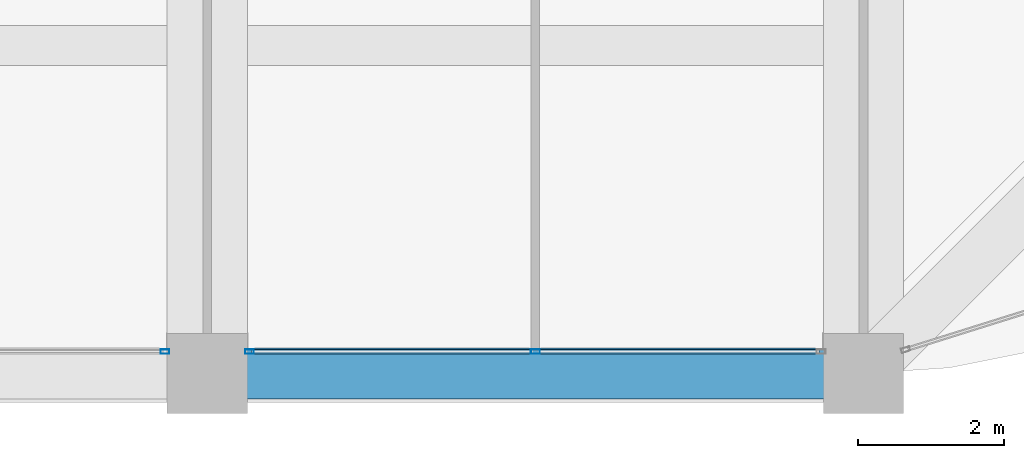
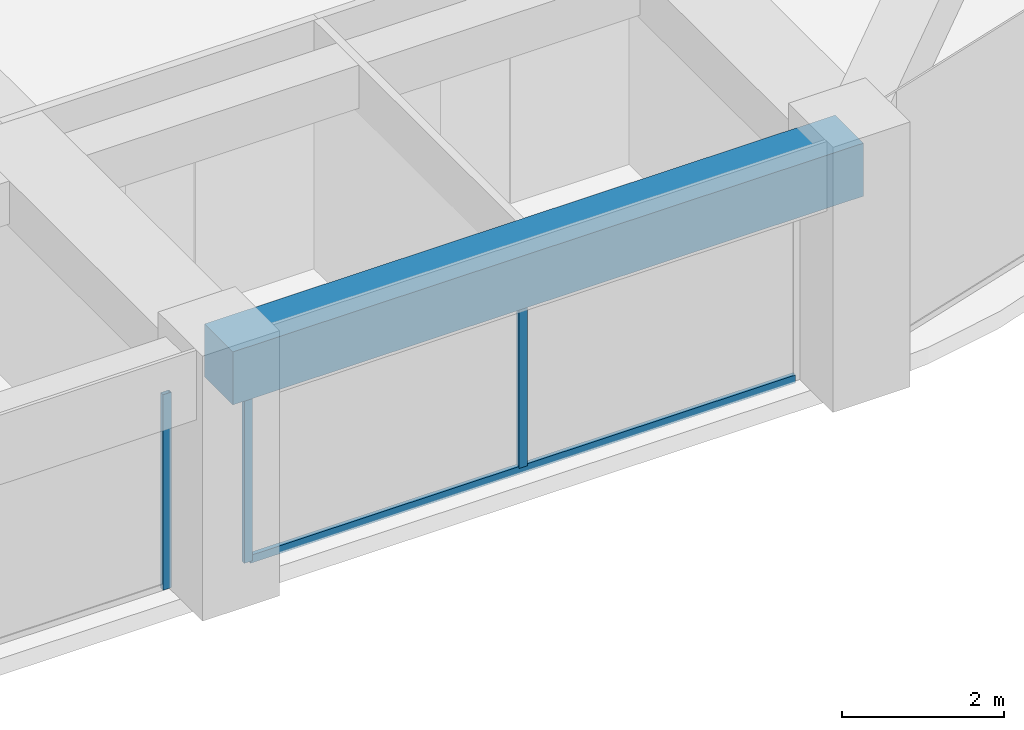
# One storey, part 11 of 44: 4 members, 1 beam, 2 elements without a shape of their own.
"""IFC4 building model written with IfcOpenShell, lengths in metres."""

import ifcopenshell
import ifcopenshell.guid

model = None  # the IFC model being written
_history = None  # IfcOwnerHistory: only IFC2X3 demands one
_inside = {}  # id of a spatial element -> (the spatial element, [elements in it])
_under = {}  # id of a project, library or spatial element -> (it, [spatial elements below it])
_declared = {}  # id of a project -> (the project, [libraries it declares])
_typed = {}  # id of a type object -> (the type object, [elements of that type])
_made_of = {}  # id of a material, layer set ... -> (it, [elements and type objects made of it])


def new_model(schema):
    """Start an empty IFC model of exactly this schema.

    Asked for "IFC4X3", IfcOpenShell would pick the latest addendum, in which some entities
    have other attributes; the version numbers below select the first issue.
    IFC2X3 requires an IfcOwnerHistory on every rooted entity: one is made here for all.
    """
    global model, _history
    if schema == "IFC4X3":
        model = ifcopenshell.file(schema_version=(4, 3, 0, 0))
    else:
        model = ifcopenshell.file(schema=schema)
    _inside.clear()
    _under.clear()
    _declared.clear()
    _typed.clear()
    _made_of.clear()
    _history = None
    if model.schema == "IFC2X3":
        org = make("IfcOrganization", Name="unknown")
        user = make(
            "IfcPersonAndOrganization",
            ThePerson=make("IfcPerson", FamilyName="unknown"),
            TheOrganization=org,
        )
        app = make(
            "IfcApplication",
            ApplicationDeveloper=org,
            Version="unknown",
            ApplicationFullName="unknown",
            ApplicationIdentifier="unknown",
        )
        _history = make(
            "IfcOwnerHistory",
            OwningUser=user,
            OwningApplication=app,
            ChangeAction="ADDED",
            CreationDate=0,
        )
    return model


def make(cls, **values):
    """One entity of the class cls with the attributes given. An attribute that is None is left unset."""
    return model.create_entity(
        cls, **{name: value for name, value in values.items() if value is not None}
    )


def rooted(cls, **values):
    """An entity with a GlobalId (a new one), such as an element, a storey or a relation."""
    return make(cls, GlobalId=ifcopenshell.guid.new(), OwnerHistory=_history, **values)


def si_unit(unit_type, name, prefix=None):
    """IfcSIUnit, for example si_unit("LENGTHUNIT", "METRE", prefix="MILLI")."""
    return make("IfcSIUnit", UnitType=unit_type, Prefix=prefix, Name=name)


def assignment(units):
    """IfcUnitAssignment: the units of a project."""
    return None if units is None else make("IfcUnitAssignment", Units=units)


def point(xyz):
    """IfcCartesianPoint."""
    return None if xyz is None else make("IfcCartesianPoint", Coordinates=xyz)


def direction(xyz):
    """IfcDirection."""
    return None if xyz is None else make("IfcDirection", DirectionRatios=xyz)


def frame(location, z_axis=None, x_axis=None):
    """IfcAxis2Placement3D, a coordinate frame: its origin and axes. An axis left out is left unset."""
    return make(
        "IfcAxis2Placement3D",
        Location=point(location),
        Axis=direction(z_axis),
        RefDirection=direction(x_axis),
    )


def frame_2d(location, x_axis=None):
    """IfcAxis2Placement2D, a coordinate frame in the plane: its origin and x axis."""
    return make(
        "IfcAxis2Placement2D", Location=point(location), RefDirection=direction(x_axis)
    )


def origin():
    """The frame at (0, 0, 0) with its axes left unset."""
    return frame((0.0, 0.0, 0.0))


def origin_2d():
    """The frame at (0, 0) in the plane with its x axis left unset."""
    return frame_2d((0.0, 0.0))


def place(relative_to, where):
    """IfcLocalPlacement: puts the frame where relative to a parent placement (None: the world)."""
    return make(
        "IfcLocalPlacement", PlacementRelTo=relative_to, RelativePlacement=where
    )


def context(
    kind, dimensions, precision=None, world=None, true_north=None, identifier=None
):
    """IfcGeometricRepresentationContext, for example the 3D "Model" context."""
    return make(
        "IfcGeometricRepresentationContext",
        ContextIdentifier=identifier,
        ContextType=kind,
        CoordinateSpaceDimension=dimensions,
        Precision=precision,
        WorldCoordinateSystem=world,
        TrueNorth=true_north,
    )


def subcontext(parent, identifier, kind, view, scale=None):
    """IfcGeometricRepresentationSubContext, for example "Body" below "Model"."""
    return make(
        "IfcGeometricRepresentationSubContext",
        ContextIdentifier=identifier,
        ContextType=kind,
        ParentContext=parent,
        TargetScale=scale,
        TargetView=view,
    )


def project(units=None, contexts=None):
    """IfcProject with its units and contexts."""
    return rooted(
        "IfcProject",
        Name="project",
        RepresentationContexts=contexts,
        UnitsInContext=assignment(units),
    )


def spatial(cls, under=None, at=None, **own):
    """A site, building, storey or space (cls), placed at a placement, below another one or the project."""
    s = rooted(cls, ObjectPlacement=at, **own)
    if under is not None:
        _under.setdefault(under.id(), (under, []))[1].append(s)
    return s


def profile(cls, at=None, kind="AREA", **sizes):
    """A parametric profile (cls). Its sizes go by their IFC names, for example OverallWidth=200.0."""
    return make(cls, ProfileType=kind, Position=at, **sizes)


def rectangle(**sizes):
    """IfcRectangleProfileDef."""
    return profile("IfcRectangleProfileDef", **sizes)


def hollow_rectangle(**sizes):
    """IfcRectangleHollowProfileDef."""
    return profile("IfcRectangleHollowProfileDef", **sizes)


def extrude(swept, where, along, depth):
    """IfcExtrudedAreaSolid: the profile swept, set in the frame where, extruded along a direction by depth."""
    return make(
        "IfcExtrudedAreaSolid",
        SweptArea=swept,
        Position=where,
        ExtrudedDirection=direction(along),
        Depth=depth,
    )


def shape(context_of_items, identifier, shape_type, items):
    """IfcShapeRepresentation: the items that make up one representation, for example the "Body"."""
    return make(
        "IfcShapeRepresentation",
        ContextOfItems=context_of_items,
        RepresentationIdentifier=identifier,
        RepresentationType=shape_type,
        Items=items,
    )


def material(Name=None, Category=None):
    """IfcMaterial."""
    return make("IfcMaterial", Name=Name, Category=Category)


def material_profile(
    of_material, cross_section, Name=None, Category=None, Priority=None
):
    """IfcMaterialProfile: a cross section and its material."""
    return make(
        "IfcMaterialProfile",
        Name=Name,
        Material=of_material,
        Profile=cross_section,
        Priority=Priority,
        Category=Category,
    )


def profile_set(profiles, Name=None, composite=None):
    """IfcMaterialProfileSet."""
    return make(
        "IfcMaterialProfileSet",
        Name=Name,
        MaterialProfiles=profiles,
        CompositeProfile=composite,
    )


def made_of(thing, what):
    """Note that an element or type object is made of a material, layer set ...; save() writes the relation."""
    if what is not None:
        _made_of.setdefault(what.id(), (what, []))[1].append(thing)
    return thing


def type_object(cls, material=None, **own):
    """A type object (cls), such as IfcWallType, which elements share."""
    return made_of(rooted(cls, **own), material)


def element(
    cls,
    number,
    at=None,
    inside=None,
    cuts=None,
    type_object=None,
    material=None,
    context=None,
    identifier="Body",
    shape_type=None,
    held_by="IfcProductDefinitionShape",
    body=None,
    shapes=None,
    **own,
):
    """One element of the class cls, such as IfcWall. Its Tag is "e" and its number.

    at: its placement. inside: the storey or other place that contains it. cuts: it is an
    opening in that element (IfcRelVoidsElement). A single representation is given by context,
    identifier, shape_type and body (its items); several are given by shapes. held_by: the class
    of the entity that holds the representations. save() writes the other relations.
    """
    e = rooted(cls, Tag="e%d" % number, ObjectPlacement=at, **own)
    if body is not None:
        shapes = [shape(context, identifier, shape_type, body)]
    if shapes is not None:
        e.Representation = make(held_by, Representations=shapes)
    if inside is not None:
        _inside.setdefault(inside.id(), (inside, []))[1].append(e)
    if cuts is not None:
        rooted(
            "IfcRelVoidsElement", RelatingBuildingElement=cuts, RelatedOpeningElement=e
        )
    if type_object is not None:
        _typed.setdefault(type_object.id(), (type_object, []))[1].append(e)
    return made_of(e, material)


def aggregate(whole, parts):
    """IfcRelAggregates: a whole, such as a stair, and the parts it consists of."""
    return rooted("IfcRelAggregates", RelatingObject=whole, RelatedObjects=parts)


def save(model, path):
    """Write the relations noted so far, then the file.

    IfcRelAggregates (storeys below a building ...), IfcRelContainedInSpatialStructure (elements
    in a storey), IfcRelDefinesByType, IfcRelAssociatesMaterial and IfcRelDeclares: one each for
    every whole, place, type object, material and project.
    """
    for whole, parts in _under.values():
        aggregate(whole, parts)
    for where, things in _inside.values():
        rooted(
            "IfcRelContainedInSpatialStructure",
            RelatedElements=things,
            RelatingStructure=where,
        )
    for kind, things in _typed.values():
        rooted("IfcRelDefinesByType", RelatedObjects=things, RelatingType=kind)
    for what, things in _made_of.values():
        rooted("IfcRelAssociatesMaterial", RelatedObjects=things, RelatingMaterial=what)
    for by, libraries in _declared.values():
        rooted("IfcRelDeclares", RelatingContext=by, RelatedDefinitions=libraries)
    model.write(path)


model = new_model("IFC4")

# Units and contexts
model_context = context("Model", 3, precision=1e-05, world=origin(), true_north=direction((0.0, 1.0)))
body_context = subcontext(model_context, "Body", "Model", "MODEL_VIEW")
ifc_project = project(units=[si_unit("LENGTHUNIT", "METRE"), si_unit("AREAUNIT", "SQUARE_METRE"), si_unit("VOLUMEUNIT", "CUBIC_METRE"), si_unit("PLANEANGLEUNIT", "RADIAN"), si_unit("MASSUNIT", "GRAM", prefix="KILO")], contexts=[model_context])

# Site, building, storey
site_placement = place(None, origin())
site = spatial("IfcSite", under=ifc_project, at=site_placement, CompositionType="ELEMENT")
building_placement = place(site_placement, origin())
building = spatial("IfcBuilding", under=site, at=building_placement, Name="Zorevar Civic Tower", CompositionType="ELEMENT")
storey_placement = place(building_placement, frame((0.0, 0.0, 275.39990234375)))
storey = spatial("IfcBuildingStorey", under=building, at=storey_placement, Name="L67", CompositionType="ELEMENT", Elevation=275.39990234375)

# Curtain wall, member
ifc_material_1 = material(Name="Dark grey solar-control glass in black aluminium frame", Category="aluminium")
curtain_wall_type = type_object("IfcCurtainWallType", Name="Curtain wall CW5 top zone", PredefinedType="NOTDEFINED", material=ifc_material_1)
curtain_wall_1_placement = place(storey_placement, origin())
curtain_wall_1 = element("IfcCurtainWall", 1, at=curtain_wall_1_placement, inside=storey, type_object=curtain_wall_type, Name="CW5 L67", PredefinedType="NOTDEFINED")
ifc_material_2 = material(Name="Aluminium, black anodised", Category="aluminium")
ifc_material_profile_1 = material_profile(ifc_material_2, hollow_rectangle(XDim=0.06005859375, YDim=0.1201171875, WallThickness=0.0029296875, at=origin_2d()), Name="AL 120x60x3")
ifc_profile_set_1 = profile_set([ifc_material_profile_1], Name="Aluminium, black anodised")
member_type_1 = type_object("IfcMemberType", Name="CW5 mullion AL 120x60x3", PredefinedType="MULLION", material=ifc_profile_set_1)
member_1_placement = place(storey_placement, frame((35.419921875, 0.300048828125, 0.0), z_axis=(0.0, 0.0, 1.0), x_axis=(0.0, 1.0, 0.0)))
member_1 = element("IfcMember", 2, at=member_1_placement, type_object=member_type_1, Name="CW5 mullion 3", PredefinedType="MULLION", context=body_context, shape_type="SweptSolid", body=[
    extrude(hollow_rectangle(XDim=0.06005859375, YDim=0.1201171875, WallThickness=0.0029296875, at=origin_2d()), origin(), (0.0, 0.0, 1.0), 2.9501953125),
])
aggregate(curtain_wall_1, [member_1])

# Curtain wall, members
curtain_wall_2_placement = place(storey_placement, origin())
curtain_wall_2 = element("IfcCurtainWall", 3, at=curtain_wall_2_placement, inside=storey, type_object=curtain_wall_type, Name="CW5 L67", PredefinedType="NOTDEFINED")
member_2_placement = place(storey_placement, frame((36.580078125, 0.300048828125, 0.0), z_axis=(0.0, 0.0, 1.0), x_axis=(0.0, 1.0, 0.0)))
member_2 = element("IfcMember", 4, at=member_2_placement, type_object=member_type_1, Name="CW5 mullion 1", PredefinedType="MULLION", context=body_context, shape_type="SweptSolid", body=[
    extrude(hollow_rectangle(XDim=0.06005859375, YDim=0.1201171875, WallThickness=0.0029296875, at=origin_2d()), origin(), (0.0, 0.0, 1.0), 2.9501953125),
])
member_3_placement = place(storey_placement, frame((40.5, 0.300048828125, 0.06005859375), z_axis=(0.0, 0.0, 1.0), x_axis=(0.0, 1.0, 0.0)))
member_3 = element("IfcMember", 5, at=member_3_placement, type_object=member_type_1, Name="CW5 mullion 2", PredefinedType="MULLION", context=body_context, shape_type="SweptSolid", body=[
    extrude(hollow_rectangle(XDim=0.06005859375, YDim=0.1201171875, WallThickness=0.0029296875, at=origin_2d()), origin(), (0.0, 0.0, 1.0), 2.89013671875),
])
ifc_material_3 = material(Name="Aluminium, black anodised", Category="aluminium")
ifc_material_profile_2 = material_profile(ifc_material_3, hollow_rectangle(XDim=0.06005859375, YDim=0.1201171875, WallThickness=0.0029296875, at=origin_2d()), Name="AL 120x60x3")
ifc_profile_set_2 = profile_set([ifc_material_profile_2], Name="Aluminium, black anodised")
member_type_2 = type_object("IfcMemberType", Name="CW5 transom AL 120x60x3", PredefinedType="USERDEFINED", material=ifc_profile_set_2)
member_4_placement = place(storey_placement, frame((36.610107421875, 0.300048828125, 0.030029296875), z_axis=(1.0, 0.0, 0.0), x_axis=(0.0, 1.0, 0.0)))
member_4 = element("IfcMember", 6, at=member_4_placement, type_object=member_type_2, Name="CW5 sill transom", ObjectType="TRANSOM", PredefinedType="USERDEFINED", context=body_context, shape_type="SweptSolid", body=[
    extrude(hollow_rectangle(XDim=0.06005859375, YDim=0.1201171875, WallThickness=0.0029296875, at=origin_2d()), origin(), (0.0, 0.0, 1.0), 7.77978515625),
])
aggregate(curtain_wall_2, [member_2, member_3, member_4])

# Beam
ifc_material_4 = material(Name="Concrete C50/60", Category="concrete")
ifc_material_profile_3 = material_profile(ifc_material_4, rectangle(XDim=0.699951171875, YDim=0.800048828125, at=origin_2d()), Name="RC 700x800")
ifc_profile_set_3 = profile_set([ifc_material_profile_3], Name="Concrete C50/60")
beam_type = type_object("IfcBeamType", Name="Edge beam RC 700x800", PredefinedType="SPANDREL", material=ifc_profile_set_3)
beam_placement = place(storey_placement, frame((36.0, 0.0, 3.35009765625), z_axis=(1.0, 0.0, 0.0), x_axis=(0.0, 1.0, 0.0)))
element("IfcBeam", 7, at=beam_placement, inside=storey, type_object=beam_type, Name="Edge beam L68", PredefinedType="SPANDREL", context=body_context, shape_type="SweptSolid", body=[
    extrude(rectangle(XDim=0.699951171875, YDim=0.800048828125, at=origin_2d()), origin(), (0.0, 0.0, 1.0), 9.0),
])

save(model, "model.ifc")
